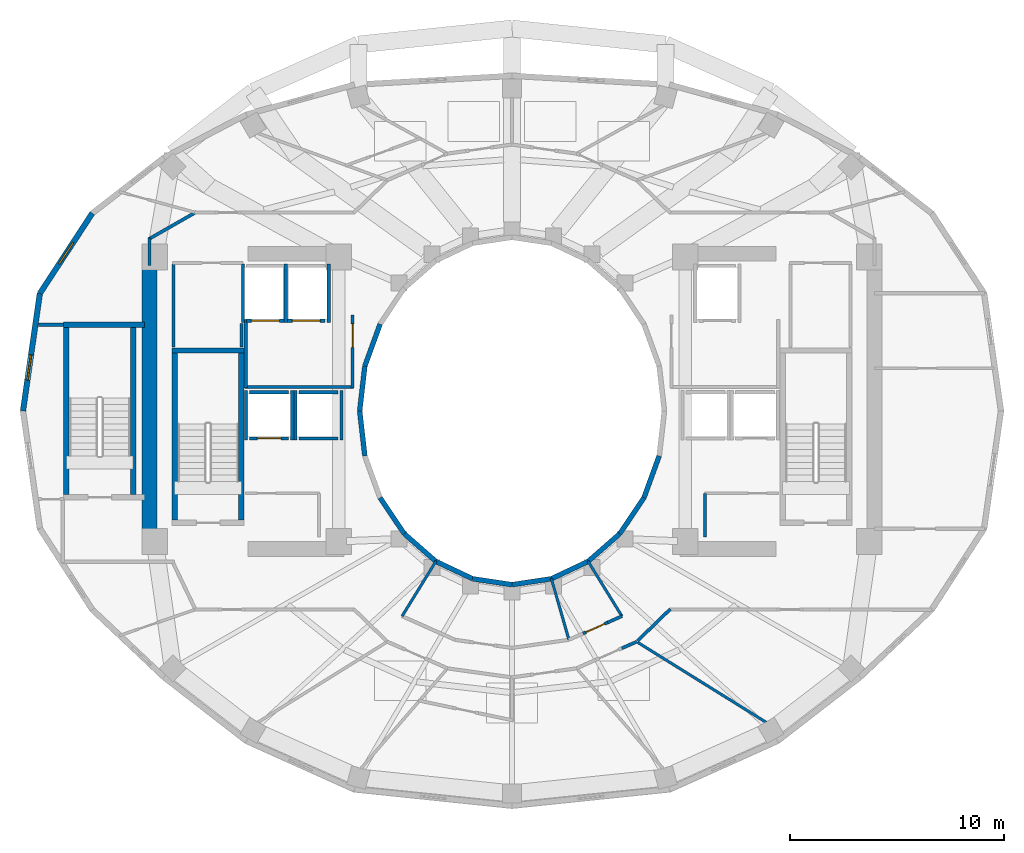
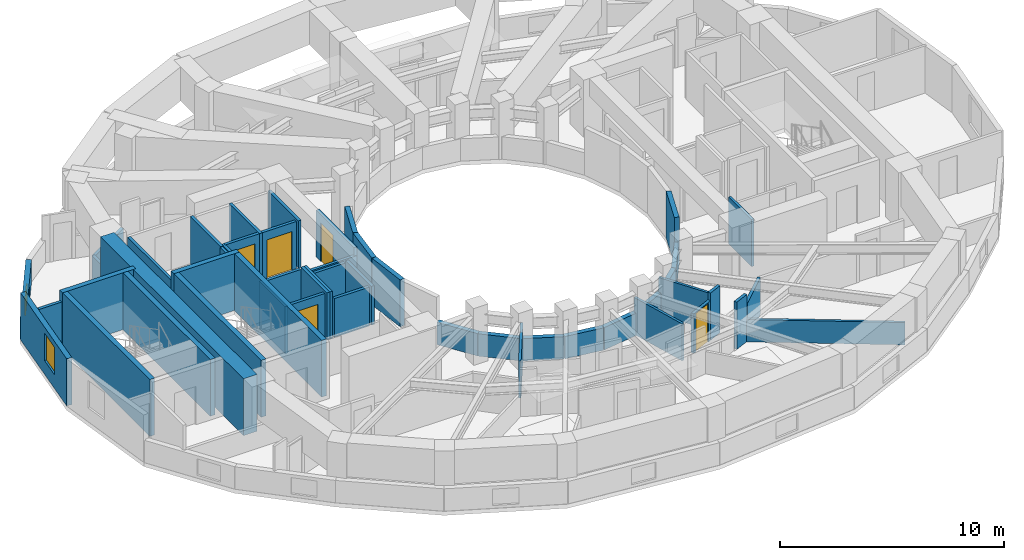
# One storey, part 4 of 9: 51 walls, 5 doors, 2 windows, 7 openings.
"""IFC4 building model written with IfcOpenShell, lengths in metres."""

from ifc_helpers import new_model, si_unit, direction, frame, frame_2d, origin, place, context, subcontext, project, spatial, rectangle, extrude, material, layer, layer_set, type_object, element, fill, save


model = new_model("IFC4")

# Units and contexts
model_context = context("Model", 3, precision=1e-05, world=origin(), true_north=direction((0.0, 1.0)))
body_context = subcontext(model_context, "Body", "Model", "MODEL_VIEW")
ifc_project = project(units=[si_unit("LENGTHUNIT", "METRE"), si_unit("AREAUNIT", "SQUARE_METRE"), si_unit("VOLUMEUNIT", "CUBIC_METRE"), si_unit("PLANEANGLEUNIT", "RADIAN"), si_unit("MASSUNIT", "GRAM", prefix="KILO")], contexts=[model_context])

# Site, building, storey
site_placement = place(None, origin())
site = spatial("IfcSite", under=ifc_project, at=site_placement, CompositionType="ELEMENT")
building_placement = place(site_placement, origin())
building = spatial("IfcBuilding", under=site, at=building_placement, Name="Solvane Sanctuary Tower", CompositionType="ELEMENT")
storey_placement = place(building_placement, frame((0.0, 0.0, 140.5)))
storey = spatial("IfcBuildingStorey", under=building, at=storey_placement, Name="L42", CompositionType="ELEMENT", Elevation=140.5)

# Walls
ifc_material_1 = material(Name="Concrete C60/75", Category="concrete")
ifc_layer_1 = layer(ifc_material_1, 0.699951171875, Name="Concrete C60/75")
ifc_layer_set_1 = layer_set([ifc_layer_1], Name="Concrete C60/75")
wall_type_1 = type_object("IfcWallType", Name="Wall W-CORE-700", PredefinedType="SHEAR", material=ifc_layer_set_1)
wall_1_placement = place(storey_placement, frame((15.050048828125, 17.050048828125, 0.0), z_axis=(0.0, 0.0, 1.0), x_axis=(0.0, 1.0, 0.0)))
element("IfcWall", 1, at=wall_1_placement, inside=storey, type_object=wall_type_1, Name="L42 Core Shear Wall WC-W", PredefinedType="SHEAR", context=body_context, shape_type="SweptSolid", body=[
    extrude(rectangle(XDim=12.800048828125, YDim=0.699951171875, at=frame_2d((6.39990234375, 0.0))), origin(), (0.0, 0.0, 1.0), 3.10009765625),
])
ifc_material_2 = material(Name="Acoustic Gypsum Partition Board")
ifc_layer_2 = layer(ifc_material_2, 0.14990234375, Name="Acoustic Gypsum Partition Board")
ifc_layer_set_2 = layer_set([ifc_layer_2], Name="Acoustic Gypsum Partition Board")
wall_type_2 = type_object("IfcWallType", Name="Wall W-CORR-150", PredefinedType="PARTITIONING", material=ifc_layer_set_2)
wall_2_placement = place(storey_placement, frame((19.52001953125, 24.1201171875, 0.0), z_axis=(0.0, 0.0, 1.0), x_axis=(1.0, 0.0, 0.0)))
element("IfcWall", 2, at=wall_2_placement, inside=storey, type_object=wall_type_2, Name="L42 West Firefighting Lobby South Wall", PredefinedType="PARTITIONING", context=body_context, shape_type="SweptSolid", body=[
    extrude(rectangle(XDim=5.080078125, YDim=0.14990234375, at=frame_2d((2.5400390625, 0.0))), origin(), (0.0, 0.0, 1.0), 2.1201171875),
])
wall_3_placement = place(storey_placement, frame((19.550048828125, 24.080078125, 0.0), z_axis=(0.0, 0.0, 1.0), x_axis=(0.0, 1.0, 0.0)))
element("IfcWall", 3, at=wall_3_placement, inside=storey, type_object=wall_type_2, Name="L42 West Firefighting Lobby West Wall", PredefinedType="PARTITIONING", context=body_context, shape_type="SweptSolid", body=[
    extrude(rectangle(XDim=3.199951171875, YDim=0.14990234375, at=frame_2d((1.60009765625, 0.0))), origin(), (0.0, 0.0, 1.0), 2.574951171875),
])

# Wall, opening, door
wall_4_placement = place(storey_placement, frame((24.550048828125, 24.080078125, 0.0), z_axis=(0.0, 0.0, 1.0), x_axis=(0.0, 1.0, 0.0)))
wall_4 = element("IfcWall", 4, at=wall_4_placement, inside=storey, type_object=wall_type_2, Name="L42 West Firefighting Lobby East Wall", PredefinedType="PARTITIONING", context=body_context, shape_type="SweptSolid", body=[
    extrude(rectangle(XDim=3.39990234375, YDim=0.14990234375, at=frame_2d((1.699951171875, 0.0))), origin(), (0.0, 0.0, 1.0), 2.574951171875),
])
opening_1_placement = place(wall_4_placement, frame((1.893798828125, 0.0, 0.0)))
opening_1 = element("IfcOpeningElement", 5, at=opening_1_placement, cuts=wall_4, Name="Opening D-L42-04", PredefinedType="OPENING", context=body_context, shape_type="SweptSolid", body=[
    extrude(rectangle(XDim=1.10009765625, YDim=2.10009765625, at=frame_2d((0.550048828125, 1.050048828125))), frame((0.0, 0.0849609375, 0.0), z_axis=(0.0, -1.0, 0.0), x_axis=(1.0, 0.0, 0.0)), (0.0, 0.0, 1.0), 0.169921875),
])
ifc_material_3 = material(Name="Architectural Stainless Steel 316", Category="steel")
door_type_1 = type_object("IfcDoorType", Name="Door D-FFL", OperationType="NOTDEFINED", PredefinedType="DOOR", material=ifc_material_3)
door_1_placement = place(opening_1_placement, origin())
door_1 = element("IfcDoor", 6, at=door_1_placement, inside=storey, type_object=door_type_1, Name="L42 West Firefighting Lobby Fire Door", OperationType="SINGLE_SWING_RIGHT", OverallHeight=2.10009765625, OverallWidth=1.10009765625, PredefinedType="DOOR", context=body_context, shape_type="SweptSolid", body=[
    extrude(rectangle(XDim=1.10009765625, YDim=2.10009765625, at=frame_2d((0.550048828125, 1.050048828125))), frame((0.0, 0.02490234375, 0.0), z_axis=(0.0, -1.0, 0.0), x_axis=(1.0, 0.0, 0.0)), (0.0, 0.0, 1.0), 0.050048828125),
])
fill(opening_1, door_1)

# Walls
wall_5_placement = place(storey_placement, frame((9.869873046875, 27.030029296875, 0.0), z_axis=(0.0, 0.0, 1.0), x_axis=(1.0, 0.0, 0.0)))
element("IfcWall", 7, at=wall_5_placement, inside=storey, type_object=wall_type_2, Name="L42 NW Corner Closer 1", PredefinedType="PARTITIONING", context=body_context, shape_type="SweptSolid", body=[
    extrude(rectangle(XDim=1.170166015625, YDim=0.14990234375, at=frame_2d((0.5849609375, 0.0))), origin(), (0.0, 0.0, 1.0), 2.574951171875),
])
wall_6_placement = place(storey_placement, frame((15.050048828125, 29.800048828125, 0.0), z_axis=(0.0, 0.0, 1.0), x_axis=(0.0, 1.0, 0.0)))
element("IfcWall", 8, at=wall_6_placement, inside=storey, type_object=wall_type_2, Name="L42 NW Corner Closer 2", PredefinedType="PARTITIONING", context=body_context, shape_type="SweptSolid", body=[
    extrude(rectangle(XDim=1.2900390625, YDim=0.14990234375, at=frame_2d((0.64501953125, 0.0))), origin(), (0.0, 0.0, 1.0), 1.219970703125),
])
wall_7_placement = place(storey_placement, frame((17.243408203125, 32.3046875, 0.0), z_axis=(0.0, 0.0, 1.0), x_axis=(-0.867991349648, -0.496579315857, 0.0)))
element("IfcWall", 9, at=wall_7_placement, inside=storey, type_object=wall_type_2, Name="L42 NW Corner Wing Wall", PredefinedType="PARTITIONING", context=body_context, shape_type="SweptSolid", body=[
    extrude(rectangle(XDim=2.56689453125, YDim=0.14990234375, at=frame_2d((1.283447265625, 0.0))), origin(), (0.0, 0.0, 1.0), 1.219970703125),
])
wall_8_placement = place(storey_placement, frame((37.867431640625, 12.251220703125, 0.0), z_axis=(0.0, 0.0, 1.0), x_axis=(0.717419568599, 0.696641344302, 0.0)))
element("IfcWall", 10, at=wall_8_placement, inside=storey, type_object=wall_type_2, Name="L42 SE Corner Throat Wall", PredefinedType="PARTITIONING", context=body_context, shape_type="SweptSolid", body=[
    extrude(rectangle(XDim=2.138427734375, YDim=0.14990234375, at=frame_2d((1.0693359375, 0.0))), origin(), (0.0, 0.0, 1.0), 2.01904296875),
])

# Wall, opening, door
wall_9_placement = place(storey_placement, frame((35.318603515625, 12.5966796875, 0.0), z_axis=(0.0, 0.0, 1.0), x_axis=(0.913104656548, 0.407725258219, 0.0)))
wall_9 = element("IfcWall", 11, at=wall_9_placement, inside=storey, type_object=wall_type_2, Name="L42 Inner Light-Well Corridor Wall S2", PredefinedType="PARTITIONING", context=body_context, shape_type="SweptSolid", body=[
    extrude(rectangle(XDim=1.27001953125, YDim=0.14990234375, at=frame_2d((0.635009765625, 0.0))), origin(), (0.0, 0.0, 1.0), 2.159912109375),
])
opening_2_placement = place(wall_9_placement, frame((0.159912109375, 0.0, 0.0)))
opening_2 = element("IfcOpeningElement", 12, at=opening_2_placement, cuts=wall_9, Name="Opening D-L42-21", PredefinedType="OPENING", context=body_context, shape_type="SweptSolid", body=[
    extrude(rectangle(XDim=0.949951171875, YDim=2.10009765625, at=frame_2d((0.47509765625, 1.050048828125))), frame((0.0, 0.0849609375, 0.0), z_axis=(0.0, -1.0, 0.0), x_axis=(1.0, 0.0, 0.0)), (0.0, 0.0, 1.0), 0.169921875),
])
ifc_material_4 = material(Name="Engineered Tropical Hardwood", Category="wood")
door_type_2 = type_object("IfcDoorType", Name="Door D-ROOM-950", OperationType="NOTDEFINED", PredefinedType="DOOR", material=ifc_material_4)
door_2_placement = place(opening_2_placement, origin())
door_2 = element("IfcDoor", 13, at=door_2_placement, inside=storey, type_object=door_type_2, Name="L42 Inner Light-Well Salon Door S2", OperationType="SINGLE_SWING_LEFT", OverallHeight=2.10009765625, OverallWidth=0.949951171875, PredefinedType="DOOR", context=body_context, shape_type="SweptSolid", body=[
    extrude(rectangle(XDim=0.949951171875, YDim=2.10009765625, at=frame_2d((0.47509765625, 1.050048828125))), frame((0.0, 0.02490234375, 0.0), z_axis=(0.0, -1.0, 0.0), x_axis=(1.0, 0.0, 0.0)), (0.0, 0.0, 1.0), 0.050048828125),
])
fill(opening_2, door_2)

# Walls
wall_10_placement = place(storey_placement, frame((36.478271484375, 13.114501953125, 0.0), z_axis=(0.0, 0.0, 1.0), x_axis=(0.913120081969, 0.407690711084, 0.0)))
element("IfcWall", 14, at=wall_10_placement, inside=storey, type_object=wall_type_2, Name="L42 Inner Light-Well Corridor Wall S2", PredefinedType="PARTITIONING", context=body_context, shape_type="SweptSolid", body=[
    extrude(rectangle(XDim=0.7294921875, YDim=0.14990234375, at=frame_2d((0.36474609375, 0.0))), origin(), (0.0, 0.0, 1.0), 2.574951171875),
])
wall_11_placement = place(storey_placement, frame((37.13134765625, 11.905517578125, 0.0), z_axis=(0.0, 0.0, 1.0), x_axis=(0.914386304715, 0.404842791401, 0.0)))
element("IfcWall", 15, at=wall_11_placement, inside=storey, type_object=wall_type_2, Name="L42 Unit Corridor Wall S3", PredefinedType="PARTITIONING", context=body_context, shape_type="SweptSolid", body=[
    extrude(rectangle(XDim=0.76953125, YDim=0.14990234375, at=frame_2d((0.384765625, 0.0))), origin(), (0.0, 0.0, 1.0), 2.574951171875),
])

# Wall, opening, window
ifc_material_5 = material(Name="Precast concrete C40/50", Category="concrete")
ifc_layer_3 = layer(ifc_material_5, 0.260009765625, Name="Precast concrete C40/50")
ifc_layer_set_3 = layer_set([ifc_layer_3], Name="Precast concrete C40/50")
wall_type_3 = type_object("IfcWallType", Name="Wall W-EXT-250", PredefinedType="STANDARD", material=ifc_layer_set_3)
wall_12_placement = place(storey_placement, frame((12.380859375, 32.243408203125, 0.0), z_axis=(0.0, 0.0, 1.0), x_axis=(-0.547456494366, -0.836834145322, 0.0)))
wall_12 = element("IfcWall", 16, at=wall_12_placement, inside=storey, type_object=wall_type_3, Name="L42 Ceramic-Printed Facade Wall 10", PredefinedType="STANDARD", context=body_context, shape_type="SweptSolid", body=[
    extrude(rectangle(XDim=4.477294921875, YDim=0.260009765625, at=frame_2d((2.23876953125, 0.0))), origin(), (0.0, 0.0, 1.0), 1.219970703125),
])
opening_3_placement = place(wall_12_placement, frame((1.638671875, 0.0, 0.14990234375)))
opening_3 = element("IfcOpeningElement", 17, at=opening_3_placement, cuts=wall_12, Name="Opening WN-OPER-1200", PredefinedType="OPENING", context=body_context, shape_type="SweptSolid", body=[
    extrude(rectangle(XDim=1.199951171875, YDim=0.89990234375, at=frame_2d((0.60009765625, 0.449951171875))), frame((0.0, 0.139892578125, 0.0), z_axis=(0.0, -1.0, 0.0), x_axis=(1.0, 0.0, 0.0)), (0.0, 0.0, 1.0), 0.280029296875),
])
ifc_material_6 = material(Name="Dark Ceramic-Fritted Low-E Glass", Category="glass")
window_type = type_object("IfcWindowType", Name="Window WN-OPER-1200", PartitioningType="SINGLE_PANEL", PredefinedType="WINDOW", material=ifc_material_6)
window_1_placement = place(opening_3_placement, origin())
window_1 = element("IfcWindow", 18, at=window_1_placement, inside=storey, type_object=window_type, Name="L42 Operable Facade Window 10", OverallHeight=0.89990234375, OverallWidth=1.199951171875, PartitioningType="SINGLE_PANEL", PredefinedType="WINDOW", context=body_context, shape_type="SweptSolid", body=[
    extrude(rectangle(XDim=1.199951171875, YDim=0.89990234375, at=frame_2d((0.60009765625, 0.449951171875))), frame((0.0, 0.030029296875, 0.0), z_axis=(0.0, -1.0, 0.0), x_axis=(1.0, 0.0, 0.0)), (0.0, 0.0, 1.0), 0.06005859375),
])
fill(opening_3, window_1)

wall_13_placement = place(storey_placement, frame((9.9296875, 28.49658203125, 0.0), z_axis=(0.0, 0.0, 1.0), x_axis=(-0.142227632286, -0.989833976288, 0.0)))
wall_13 = element("IfcWall", 19, at=wall_13_placement, inside=storey, type_object=wall_type_3, Name="L42 Ceramic-Printed Facade Wall 11", PredefinedType="STANDARD", context=body_context, shape_type="SweptSolid", body=[
    extrude(rectangle(XDim=5.552978515625, YDim=0.260009765625, at=frame_2d((2.7763671875, 0.0))), origin(), (0.0, 0.0, 1.0), 2.570068359375),
])
opening_4_placement = place(wall_13_placement, frame((2.892333984375, 0.0, 0.75)))
opening_4 = element("IfcOpeningElement", 20, at=opening_4_placement, cuts=wall_13, Name="Opening WN-OPER-1200", PredefinedType="OPENING", context=body_context, shape_type="SweptSolid", body=[
    extrude(rectangle(XDim=1.199951171875, YDim=1.5, at=frame_2d((0.60009765625, 0.75))), frame((0.0, 0.139892578125, 0.0), z_axis=(0.0, -1.0, 0.0), x_axis=(1.0, 0.0, 0.0)), (0.0, 0.0, 1.0), 0.280029296875),
])
window_2_placement = place(opening_4_placement, origin())
window_2 = element("IfcWindow", 21, at=window_2_placement, inside=storey, type_object=window_type, Name="L42 Operable Facade Window 11", OverallHeight=1.5, OverallWidth=1.199951171875, PartitioningType="SINGLE_PANEL", PredefinedType="WINDOW", context=body_context, shape_type="SweptSolid", body=[
    extrude(rectangle(XDim=1.199951171875, YDim=1.5, at=frame_2d((0.60009765625, 0.75))), frame((0.0, 0.030029296875, 0.0), z_axis=(0.0, -1.0, 0.0), x_axis=(1.0, 0.0, 0.0)), (0.0, 0.0, 1.0), 0.06005859375),
])
fill(opening_4, window_2)

# Walls
ifc_layer_4 = layer(ifc_material_5, 0.22998046875, Name="Precast concrete C40/50")
ifc_layer_set_4 = layer_set([ifc_layer_4], Name="Precast concrete C40/50")
wall_type_4 = type_object("IfcWallType", Name="Wall W-EXT-SP220", PredefinedType="STANDARD", material=ifc_layer_set_4)
wall_14_placement = place(storey_placement, frame((25.833984375, 27.06005859375, 0.0), z_axis=(0.0, 0.0, 1.0), x_axis=(-0.341423187295, -0.93990968033, 0.0)))
element("IfcWall", 22, at=wall_14_placement, inside=storey, type_object=wall_type_4, Name="L42 Central Light-Well Wall 10", PredefinedType="STANDARD", context=body_context, shape_type="SweptSolid", body=[
    extrude(rectangle(XDim=2.083740234375, YDim=0.22998046875, at=frame_2d((1.0419921875, 0.0))), origin(), (0.0, 0.0, 1.0), 2.56005859375),
])
for number, where, z_axis, x_axis, name in (
    (23, (25.12255859375, 25.1015625, 0.0), (0.0, 0.0, 1.0), (-0.114711713601, -0.993398823617, 0.0), "L42 Central Light-Well Wall 11"),
    (24, (24.8798828125, 23.0, 0.0), (0.0, 0.0, 1.0), (0.114711713601, -0.993398823617, 0.0), "L42 Central Light-Well Wall 12"),
):
    element("IfcWall", number, at=place(storey_placement, frame(where, z_axis=z_axis, x_axis=x_axis)), inside=storey, type_object=wall_type_4, Name=name, PredefinedType="STANDARD", context=body_context, shape_type="SweptSolid", body=[
        extrude(rectangle(XDim=2.115478515625, YDim=0.22998046875, at=frame_2d((1.0576171875, 0.0))), origin(), (0.0, 0.0, 1.0), 2.56005859375),
    ])
wall_15_placement = place(storey_placement, frame((25.833984375, 18.93994140625, 0.0), z_axis=(0.0, 0.0, 1.0), x_axis=(0.558197800898, -0.829707909492, 0.0)))
element("IfcWall", 25, at=wall_15_placement, inside=storey, type_object=wall_type_4, Name="L42 Central Light-Well Wall 14", PredefinedType="STANDARD", context=body_context, shape_type="SweptSolid", body=[
    extrude(rectangle(XDim=2.02685546875, YDim=0.22998046875, at=frame_2d((1.013427734375, 0.0))), origin(), (0.0, 0.0, 1.0), 1.219970703125),
])
wall_16_placement = place(storey_placement, frame((26.96533203125, 17.25830078125, 0.0), z_axis=(0.0, 0.0, 1.0), x_axis=(0.752576694707, -0.658504607869, 0.0)))
element("IfcWall", 26, at=wall_16_placement, inside=storey, type_object=wall_type_4, Name="L42 Central Light-Well Wall 15", PredefinedType="STANDARD", context=body_context, shape_type="SweptSolid", body=[
    extrude(rectangle(XDim=1.95947265625, YDim=0.22998046875, at=frame_2d((0.979736328125, 0.0))), origin(), (0.0, 0.0, 1.0), 1.219970703125),
])
wall_17_placement = place(storey_placement, frame((28.43994140625, 15.968017578125, 0.0), z_axis=(0.0, 0.0, 1.0), x_axis=(0.904179699603, -0.427152280606, 0.0)))
element("IfcWall", 27, at=wall_17_placement, inside=storey, type_object=wall_type_4, Name="L42 Central Light-Well Wall 16", PredefinedType="STANDARD", context=body_context, shape_type="SweptSolid", body=[
    extrude(rectangle(XDim=1.899169921875, YDim=0.22998046875, at=frame_2d((0.94970703125, 0.0))), origin(), (0.0, 0.0, 1.0), 1.219970703125),
])
for number, where, z_axis, x_axis, name in (
    (28, (30.1572265625, 15.15673828125, 0.0), (0.0, 0.0, 1.0), (0.988901730308, -0.148571086668, 0.0), "L42 Central Light-Well Wall 17"),
    (29, (32.0, 14.8798828125, 0.0), (0.0, 0.0, 1.0), (0.988901730308, 0.148571086668, 0.0), "L42 Central Light-Well Wall 18"),
):
    element("IfcWall", number, at=place(storey_placement, frame(where, z_axis=z_axis, x_axis=x_axis)), inside=storey, type_object=wall_type_4, Name=name, PredefinedType="STANDARD", context=body_context, shape_type="SweptSolid", body=[
        extrude(rectangle(XDim=1.863525390625, YDim=0.22998046875, at=frame_2d((0.931640625, 0.0))), origin(), (0.0, 0.0, 1.0), 1.219970703125),
    ])
wall_18_placement = place(storey_placement, frame((33.8427734375, 15.15673828125, 0.0), z_axis=(0.0, 0.0, 1.0), x_axis=(0.904179699603, 0.427152280606, 0.0)))
element("IfcWall", 30, at=wall_18_placement, inside=storey, type_object=wall_type_4, Name="L42 Central Light-Well Wall 19", PredefinedType="STANDARD", context=body_context, shape_type="SweptSolid", body=[
    extrude(rectangle(XDim=1.899169921875, YDim=0.22998046875, at=frame_2d((0.94970703125, 0.0))), origin(), (0.0, 0.0, 1.0), 1.219970703125),
])
wall_19_placement = place(storey_placement, frame((35.56005859375, 15.968017578125, 0.0), z_axis=(0.0, 0.0, 1.0), x_axis=(0.752576694707, 0.658504607869, 0.0)))
element("IfcWall", 31, at=wall_19_placement, inside=storey, type_object=wall_type_4, Name="L42 Central Light-Well Wall 20", PredefinedType="STANDARD", context=body_context, shape_type="SweptSolid", body=[
    extrude(rectangle(XDim=1.95947265625, YDim=0.22998046875, at=frame_2d((0.979736328125, 0.0))), origin(), (0.0, 0.0, 1.0), 1.219970703125),
])
wall_20_placement = place(storey_placement, frame((37.03466796875, 17.25830078125, 0.0), z_axis=(0.0, 0.0, 1.0), x_axis=(0.558197800898, 0.829707909492, 0.0)))
element("IfcWall", 32, at=wall_20_placement, inside=storey, type_object=wall_type_4, Name="L42 Central Light-Well Wall 21", PredefinedType="STANDARD", context=body_context, shape_type="SweptSolid", body=[
    extrude(rectangle(XDim=2.02685546875, YDim=0.22998046875, at=frame_2d((1.013427734375, 0.0))), origin(), (0.0, 0.0, 1.0), 1.219970703125),
])
wall_21_placement = place(storey_placement, frame((38.166015625, 18.93994140625, 0.0), z_axis=(0.0, 0.0, 1.0), x_axis=(0.341423187295, 0.93990968033, 0.0)))
element("IfcWall", 33, at=wall_21_placement, inside=storey, type_object=wall_type_4, Name="L42 Central Light-Well Wall 22", PredefinedType="STANDARD", context=body_context, shape_type="SweptSolid", body=[
    extrude(rectangle(XDim=2.083740234375, YDim=0.22998046875, at=frame_2d((1.0419921875, 0.0))), origin(), (0.0, 0.0, 1.0), 2.56005859375),
])
ifc_layer_5 = layer(ifc_material_2, 0.125, Name="Acoustic Gypsum Partition Board")
ifc_layer_set_5 = layer_set([ifc_layer_5], Name="Acoustic Gypsum Partition Board")
wall_type_5 = type_object("IfcWallType", Name="Wall W-PART-125", PredefinedType="PARTITIONING", material=ifc_layer_set_5)
wall_22_placement = place(storey_placement, frame((41.02001953125, 17.10009765625, 0.0), z_axis=(0.0, 0.0, 1.0), x_axis=(0.0, 1.0, 0.0)))
element("IfcWall", 34, at=wall_22_placement, inside=storey, type_object=wall_type_5, Name="L42 Reclaimed Room Closer Wall PLE-1", PredefinedType="PARTITIONING", context=body_context, shape_type="SweptSolid", body=[
    extrude(rectangle(XDim=2.039794921875, YDim=0.125, at=frame_2d((1.02001953125, 0.0))), origin(), (0.0, 0.0, 1.0), 2.574951171875),
])
wall_23_placement = place(storey_placement, frame((28.449951171875, 15.985107421875, 0.0), z_axis=(0.0, 0.0, 1.0), x_axis=(-0.524565340045, -0.851370192116, 0.0)))
element("IfcWall", 35, at=wall_23_placement, inside=storey, type_object=wall_type_5, Name="L42 Inner Light-Well Radial Wall 240", PredefinedType="PARTITIONING", context=body_context, shape_type="SweptSolid", body=[
    extrude(rectangle(XDim=3.027099609375, YDim=0.125, at=frame_2d((1.513671875, 0.0))), origin(), (0.0, 0.0, 1.0), 2.01904296875),
])
wall_24_placement = place(storey_placement, frame((33.837646484375, 15.176025390625, 0.0), z_axis=(0.0, 0.0, 1.0), x_axis=(0.274947609893, -0.961459209647, 0.0)))
element("IfcWall", 36, at=wall_24_placement, inside=storey, type_object=wall_type_5, Name="L42 Inner Light-Well Radial Wall 285", PredefinedType="PARTITIONING", context=body_context, shape_type="SweptSolid", body=[
    extrude(rectangle(XDim=2.98974609375, YDim=0.125, at=frame_2d((1.494873046875, 0.0))), origin(), (0.0, 0.0, 1.0), 2.01904296875),
])
wall_25_placement = place(storey_placement, frame((35.550048828125, 15.985107421875, 0.0), z_axis=(0.0, 0.0, 1.0), x_axis=(0.524565340045, -0.851370192116, 0.0)))
element("IfcWall", 37, at=wall_25_placement, inside=storey, type_object=wall_type_5, Name="L42 Inner Light-Well Radial Wall 300", PredefinedType="PARTITIONING", context=body_context, shape_type="SweptSolid", body=[
    extrude(rectangle(XDim=3.027099609375, YDim=0.125, at=frame_2d((1.513671875, 0.0))), origin(), (0.0, 0.0, 1.0), 2.01904296875),
])
wall_26_placement = place(storey_placement, frame((37.874755859375, 12.18359375, 0.0), z_axis=(0.0, 0.0, 1.0), x_axis=(0.849008457073, -0.528379257559, 0.0)))
element("IfcWall", 38, at=wall_26_placement, inside=storey, type_object=wall_type_5, Name="L42 Radial Compartment Wall 300", PredefinedType="PARTITIONING", context=body_context, shape_type="SweptSolid", body=[
    extrude(rectangle(XDim=7.076904296875, YDim=0.125, at=frame_2d((3.53857421875, 0.0))), origin(), (0.0, 0.0, 1.0), 1.219970703125),
])

# Wall, opening, door
ifc_material_7 = material(Name="Concrete C50/60", Category="concrete")
ifc_layer_6 = layer(ifc_material_7, 0.14990234375, Name="Concrete C50/60")
ifc_layer_set_6 = layer_set([ifc_layer_6], Name="Concrete C50/60")
wall_type_6 = type_object("IfcWallType", Name="Wall W-SHAFT-150", PredefinedType="SOLIDWALL", material=ifc_layer_set_6)
wall_27_placement = place(storey_placement, frame((19.739990234375, 21.719970703125, 0.0), z_axis=(0.0, 0.0, 1.0), x_axis=(1.0, 0.0, 0.0)))
wall_27 = element("IfcWall", 39, at=wall_27_placement, inside=storey, type_object=wall_type_6, Name="L42 PM-1 Lift Shaft Wall F", PredefinedType="SOLIDWALL", context=body_context, shape_type="SweptSolid", body=[
    extrude(rectangle(XDim=1.820068359375, YDim=0.14990234375, at=frame_2d((0.91015625, 0.0))), origin(), (0.0, 0.0, 1.0), 2.574951171875),
])
opening_5_placement = place(wall_27_placement, frame((0.360107421875, 0.0, 0.0)))
opening_5 = element("IfcOpeningElement", 40, at=opening_5_placement, cuts=wall_27, Name="Opening LD-L42-01", PredefinedType="OPENING", context=body_context, shape_type="SweptSolid", body=[
    extrude(rectangle(XDim=1.10009765625, YDim=2.10009765625, at=frame_2d((0.550048828125, 1.050048828125))), frame((0.0, 0.0849609375, 0.0), z_axis=(0.0, -1.0, 0.0), x_axis=(1.0, 0.0, 0.0)), (0.0, 0.0, 1.0), 0.169921875),
])
door_type_3 = type_object("IfcDoorType", Name="Door LD-PASS-1100", OperationType="NOTDEFINED", PredefinedType="DOOR", material=ifc_material_3)
door_3_placement = place(opening_5_placement, origin())
door_3 = element("IfcDoor", 41, at=door_3_placement, inside=storey, type_object=door_type_3, Name="L42 PM-1 Lift Landing Door", OperationType="DOUBLE_DOOR_SLIDING", OverallHeight=2.10009765625, OverallWidth=1.10009765625, PredefinedType="DOOR", context=body_context, shape_type="SweptSolid", body=[
    extrude(rectangle(XDim=1.10009765625, YDim=2.10009765625, at=frame_2d((0.550048828125, 1.050048828125))), frame((0.0, 0.02490234375, 0.0), z_axis=(0.0, -1.0, 0.0), x_axis=(1.0, 0.0, 0.0)), (0.0, 0.0, 1.0), 0.050048828125),
])
fill(opening_5, door_3)

# Walls
wall_28_placement = place(storey_placement, frame((19.739990234375, 23.8798828125, 0.0), z_axis=(0.0, 0.0, 1.0), x_axis=(1.0, 0.0, 0.0)))
element("IfcWall", 42, at=wall_28_placement, inside=storey, type_object=wall_type_6, Name="L42 PM-1 Lift Shaft Wall B", PredefinedType="SOLIDWALL", context=body_context, shape_type="SweptSolid", body=[
    extrude(rectangle(XDim=1.820068359375, YDim=0.14990234375, at=frame_2d((0.91015625, 0.0))), origin(), (0.0, 0.0, 1.0), 2.574951171875),
])
for number, where, z_axis, x_axis, name in (
    (43, (19.570068359375, 21.639892578125, 0.0), (0.0, 0.0, 1.0), (0.0, 1.0, 0.0), "L42 PM-1 Lift Shaft Wall S1"),
    (44, (21.72998046875, 21.639892578125, 0.0), (0.0, 0.0, 1.0), (0.0, 1.0, 0.0), "L42 PM-1 Lift Shaft Wall S2"),
):
    element("IfcWall", number, at=place(storey_placement, frame(where, z_axis=z_axis, x_axis=x_axis)), inside=storey, type_object=wall_type_6, Name=name, PredefinedType="SOLIDWALL", context=body_context, shape_type="SweptSolid", body=[
        extrude(rectangle(XDim=2.320068359375, YDim=0.14990234375, at=frame_2d((1.16015625, 0.0))), origin(), (0.0, 0.0, 1.0), 2.574951171875),
    ])
for number, where, z_axis, x_axis, name in (
    (45, (22.0400390625, 21.719970703125, 0.0), (0.0, 0.0, 1.0), (1.0, 0.0, 0.0), "L42 PH-1 Lift Shaft Wall F"),
    (46, (22.0400390625, 23.8798828125, 0.0), (0.0, 0.0, 1.0), (1.0, 0.0, 0.0), "L42 PH-1 Lift Shaft Wall B"),
):
    element("IfcWall", number, at=place(storey_placement, frame(where, z_axis=z_axis, x_axis=x_axis)), inside=storey, type_object=wall_type_6, Name=name, PredefinedType="SOLIDWALL", context=body_context, shape_type="SweptSolid", body=[
        extrude(rectangle(XDim=1.820068359375, YDim=0.14990234375, at=frame_2d((0.91015625, 0.0))), origin(), (0.0, 0.0, 1.0), 2.1201171875),
    ])
wall_29_placement = place(storey_placement, frame((21.8701171875, 21.639892578125, 0.0), z_axis=(0.0, 0.0, 1.0), x_axis=(0.0, 1.0, 0.0)))
element("IfcWall", 47, at=wall_29_placement, inside=storey, type_object=wall_type_6, Name="L42 PH-1 Lift Shaft Wall S1", PredefinedType="SOLIDWALL", context=body_context, shape_type="SweptSolid", body=[
    extrude(rectangle(XDim=2.320068359375, YDim=0.14990234375, at=frame_2d((1.16015625, 0.0))), origin(), (0.0, 0.0, 1.0), 2.574951171875),
])
wall_30_placement = place(storey_placement, frame((24.030029296875, 21.639892578125, 0.0), z_axis=(0.0, 0.0, 1.0), x_axis=(0.0, 1.0, 0.0)))
element("IfcWall", 48, at=wall_30_placement, inside=storey, type_object=wall_type_6, Name="L42 PH-1 Lift Shaft Wall S2", PredefinedType="SOLIDWALL", context=body_context, shape_type="SweptSolid", body=[
    extrude(rectangle(XDim=2.320068359375, YDim=0.14990234375, at=frame_2d((1.16015625, 0.0))), origin(), (0.0, 0.0, 1.0), 2.1201171875),
])

# Wall, opening, door
wall_31_placement = place(storey_placement, frame((19.590087890625, 27.219970703125, 0.0), z_axis=(0.0, 0.0, 1.0), x_axis=(1.0, 0.0, 0.0)))
wall_31 = element("IfcWall", 49, at=wall_31_placement, inside=storey, type_object=wall_type_6, Name="L42 FFL-1 Lift Shaft Wall F", PredefinedType="SOLIDWALL", context=body_context, shape_type="SweptSolid", body=[
    extrude(rectangle(XDim=1.760009765625, YDim=0.14990234375, at=frame_2d((0.8798828125, 0.0))), origin(), (0.0, 0.0, 1.0), 2.574951171875),
])
opening_6_placement = place(wall_31_placement, frame((0.22998046875, 0.0, 0.0)))
opening_6 = element("IfcOpeningElement", 50, at=opening_6_placement, cuts=wall_31, Name="Opening LD-L42-03", PredefinedType="OPENING", context=body_context, shape_type="SweptSolid", body=[
    extrude(rectangle(XDim=1.300048828125, YDim=2.10009765625, at=frame_2d((0.64990234375, 1.050048828125))), frame((0.0, 0.0849609375, 0.0), z_axis=(0.0, -1.0, 0.0), x_axis=(1.0, 0.0, 0.0)), (0.0, 0.0, 1.0), 0.169921875),
])
door_type_4 = type_object("IfcDoorType", Name="Door LD-FFL-1300", OperationType="NOTDEFINED", PredefinedType="DOOR", material=ifc_material_3)
door_4_placement = place(opening_6_placement, origin())
door_4 = element("IfcDoor", 51, at=door_4_placement, inside=storey, type_object=door_type_4, Name="L42 FFL-1 Lift Landing Door", OperationType="DOUBLE_DOOR_SLIDING", OverallHeight=2.10009765625, OverallWidth=1.300048828125, PredefinedType="DOOR", context=body_context, shape_type="SweptSolid", body=[
    extrude(rectangle(XDim=1.300048828125, YDim=2.10009765625, at=frame_2d((0.64990234375, 1.050048828125))), frame((0.0, 0.02490234375, 0.0), z_axis=(0.0, -1.0, 0.0), x_axis=(1.0, 0.0, 0.0)), (0.0, 0.0, 1.0), 0.050048828125),
])
fill(opening_6, door_4)

# Walls
for number, where, z_axis, x_axis, name in (
    (52, (19.419921875, 27.139892578125, 0.0), (0.0, 0.0, 1.0), (0.0, 1.0, 0.0), "L42 FFL-1 Lift Shaft Wall S1"),
    (53, (21.425048828125, 27.139892578125, 0.0), (0.0, 0.0, 1.0), (0.0, 1.0, 0.0), "L42 FFL-1 Lift Shaft Wall S2"),
):
    element("IfcWall", number, at=place(storey_placement, frame(where, z_axis=z_axis, x_axis=x_axis)), inside=storey, type_object=wall_type_6, Name=name, PredefinedType="SOLIDWALL", context=body_context, shape_type="SweptSolid", body=[
        extrude(rectangle(XDim=2.72021484375, YDim=0.14990234375, at=frame_2d((1.360107421875, 0.0))), origin(), (0.0, 0.0, 1.0), 2.574951171875),
    ])

# Wall, opening, door
wall_32_placement = place(storey_placement, frame((21.5, 27.219970703125, 0.0), z_axis=(0.0, 0.0, 1.0), x_axis=(1.0, 0.0, 0.0)))
wall_32 = element("IfcWall", 54, at=wall_32_placement, inside=storey, type_object=wall_type_6, Name="L42 SVL-1 Lift Shaft Wall F", PredefinedType="SOLIDWALL", context=body_context, shape_type="SweptSolid", body=[
    extrude(rectangle(XDim=1.760009765625, YDim=0.14990234375, at=frame_2d((0.8798828125, 0.0))), origin(), (0.0, 0.0, 1.0), 2.574951171875),
])
opening_7_placement = place(wall_32_placement, frame((0.22998046875, 0.0, 0.0)))
opening_7 = element("IfcOpeningElement", 55, at=opening_7_placement, cuts=wall_32, Name="Opening LD-L42-04", PredefinedType="OPENING", context=body_context, shape_type="SweptSolid", body=[
    extrude(rectangle(XDim=1.300048828125, YDim=2.10009765625, at=frame_2d((0.64990234375, 1.050048828125))), frame((0.0, 0.0849609375, 0.0), z_axis=(0.0, -1.0, 0.0), x_axis=(1.0, 0.0, 0.0)), (0.0, 0.0, 1.0), 0.169921875),
])
door_5_placement = place(opening_7_placement, origin())
door_5 = element("IfcDoor", 56, at=door_5_placement, inside=storey, type_object=door_type_4, Name="L42 SVL-1 Lift Landing Door", OperationType="DOUBLE_DOOR_SLIDING", OverallHeight=2.10009765625, OverallWidth=1.300048828125, PredefinedType="DOOR", context=body_context, shape_type="SweptSolid", body=[
    extrude(rectangle(XDim=1.300048828125, YDim=2.10009765625, at=frame_2d((0.64990234375, 1.050048828125))), frame((0.0, 0.02490234375, 0.0), z_axis=(0.0, -1.0, 0.0), x_axis=(1.0, 0.0, 0.0)), (0.0, 0.0, 1.0), 0.050048828125),
])
fill(opening_7, door_5)

# Walls
wall_33_placement = place(storey_placement, frame((23.429931640625, 27.139892578125, 0.0), z_axis=(0.0, 0.0, 1.0), x_axis=(0.0, 1.0, 0.0)))
element("IfcWall", 57, at=wall_33_placement, inside=storey, type_object=wall_type_6, Name="L42 SVL-1 Lift Shaft Wall S2", PredefinedType="SOLIDWALL", context=body_context, shape_type="SweptSolid", body=[
    extrude(rectangle(XDim=2.72021484375, YDim=0.14990234375, at=frame_2d((1.360107421875, 0.0))), origin(), (0.0, 0.0, 1.0), 2.574951171875),
])
ifc_layer_7 = layer(ifc_material_7, 0.25, Name="Concrete C50/60")
ifc_layer_set_7 = layer_set([ifc_layer_7], Name="Concrete C50/60")
wall_type_7 = type_object("IfcWallType", Name="Wall W-SHAFT-250", PredefinedType="SOLIDWALL", material=ifc_layer_set_7)
wall_34_placement = place(storey_placement, frame((16.10498046875, 25.830078125, 0.0), z_axis=(0.0, 0.0, 1.0), x_axis=(1.0, 0.0, 0.0)))
element("IfcWall", 58, at=wall_34_placement, inside=storey, type_object=wall_type_7, Name="L42 ST-1 Load-Bearing Shaft Wall N", PredefinedType="SOLIDWALL", context=body_context, shape_type="SweptSolid", body=[
    extrude(rectangle(XDim=3.3701171875, YDim=0.25, at=frame_2d((1.68505859375, 0.0))), origin(), (0.0, 0.0, 1.0), 3.10009765625),
])
for number, where, z_axis, x_axis, name in (
    (59, (16.22998046875, 17.89501953125, 0.0), (0.0, 0.0, 1.0), (0.0, 1.0, 0.0), "L42 ST-1 Load-Bearing Shaft Wall W"),
    (60, (19.35009765625, 17.89501953125, 0.0), (0.0, 0.0, 1.0), (0.0, 1.0, 0.0), "L42 ST-1 Load-Bearing Shaft Wall E"),
):
    element("IfcWall", number, at=place(storey_placement, frame(where, z_axis=z_axis, x_axis=x_axis)), inside=storey, type_object=wall_type_7, Name=name, PredefinedType="SOLIDWALL", context=body_context, shape_type="SweptSolid", body=[
        extrude(rectangle(XDim=7.81005859375, YDim=0.25, at=frame_2d((3.905029296875, 0.0))), origin(), (0.0, 0.0, 1.0), 3.10009765625),
    ])
wall_35_placement = place(storey_placement, frame((11.044921875, 27.030029296875, 0.0), z_axis=(0.0, 0.0, 1.0), x_axis=(1.0, 0.0, 0.0)))
element("IfcWall", 61, at=wall_35_placement, inside=storey, type_object=wall_type_7, Name="L42 ST-3 Load-Bearing Shaft Wall N", PredefinedType="SOLIDWALL", context=body_context, shape_type="SweptSolid", body=[
    extrude(rectangle(XDim=3.781982421875, YDim=0.25, at=frame_2d((1.89111328125, 0.0))), origin(), (0.0, 0.0, 1.0), 3.10009765625),
])
for number, where, z_axis, x_axis, name in (
    (62, (11.169921875, 19.094970703125, 0.0), (0.0, 0.0, 1.0), (0.0, 1.0, 0.0), "L42 ST-3 Load-Bearing Shaft Wall W"),
    (63, (14.2900390625, 19.094970703125, 0.0), (0.0, 0.0, 1.0), (0.0, 1.0, 0.0), "L42 ST-3 Load-Bearing Shaft Wall E"),
):
    element("IfcWall", number, at=place(storey_placement, frame(where, z_axis=z_axis, x_axis=x_axis)), inside=storey, type_object=wall_type_7, Name=name, PredefinedType="SOLIDWALL", context=body_context, shape_type="SweptSolid", body=[
        extrude(rectangle(XDim=7.81005859375, YDim=0.25, at=frame_2d((3.905029296875, 0.0))), origin(), (0.0, 0.0, 1.0), 3.10009765625),
    ])
ifc_layer_8 = layer(ifc_material_2, 0.139892578125, Name="Acoustic Gypsum Partition Board")
ifc_layer_set_8 = layer_set([ifc_layer_8], Name="Acoustic Gypsum Partition Board")
wall_type_8 = type_object("IfcWallType", Name="Wall W-WET-140", PredefinedType="PLUMBINGWALL", material=ifc_layer_set_8)
wall_36_placement = place(storey_placement, frame((16.179931640625, 25.97998046875, 0.0), z_axis=(0.0, 0.0, 1.0), x_axis=(0.0, 1.0, 0.0)))
element("IfcWall", 64, at=wall_36_placement, inside=storey, type_object=wall_type_8, Name="L42 Core Service Side Wall KW0-1", PredefinedType="PLUMBINGWALL", context=body_context, shape_type="SweptSolid", body=[
    extrude(rectangle(XDim=3.880126953125, YDim=0.139892578125, at=frame_2d((1.93994140625, 0.0))), origin(), (0.0, 0.0, 1.0), 2.574951171875),
])
wall_37_placement = place(storey_placement, frame((19.360107421875, 25.97998046875, 0.0), z_axis=(0.0, 0.0, 1.0), x_axis=(0.0, 1.0, 0.0)))
element("IfcWall", 65, at=wall_37_placement, inside=storey, type_object=wall_type_8, Name="L42 Core Service Side Wall KW0-2", PredefinedType="PLUMBINGWALL", context=body_context, shape_type="SweptSolid", body=[
    extrude(rectangle(XDim=1.1201171875, YDim=0.139892578125, at=frame_2d((0.56005859375, 0.0))), origin(), (0.0, 0.0, 1.0), 2.574951171875),
])

save(model, "model.ifc")
